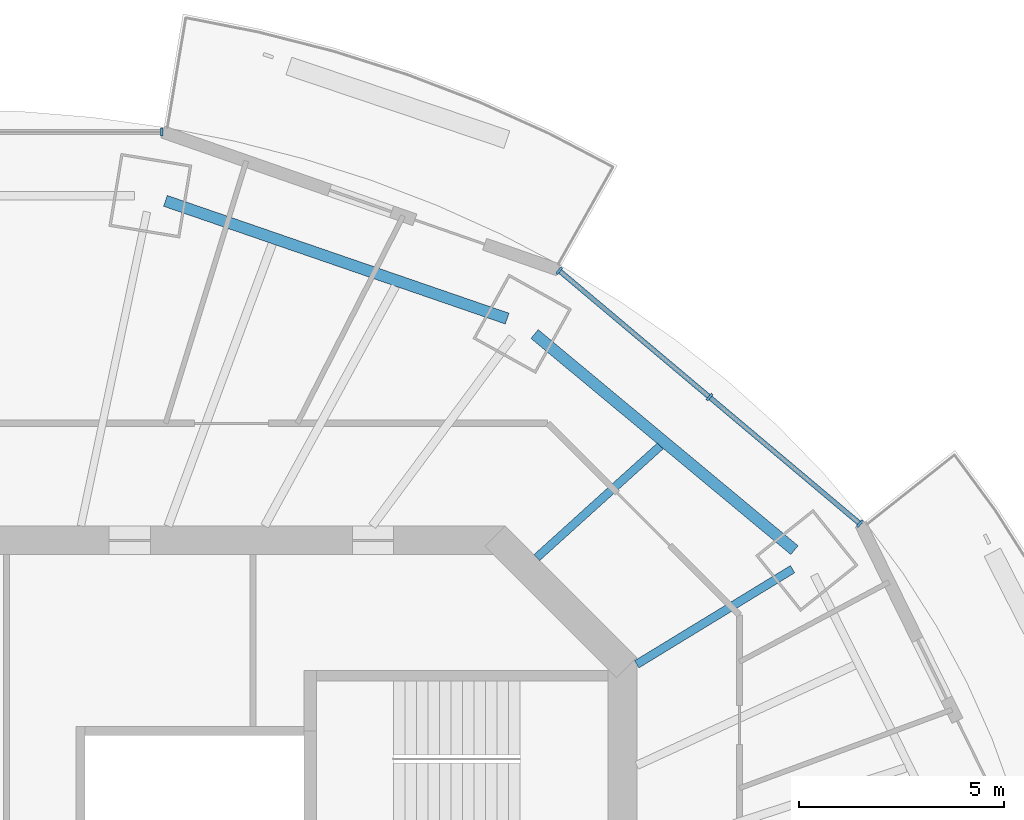
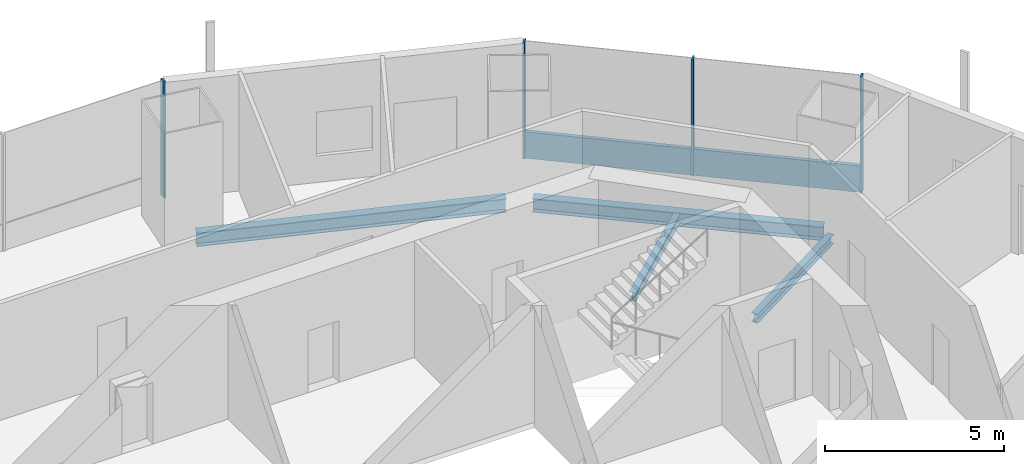
# One storey, part 6 of 16: 5 members, 4 beams, 2 elements without a shape of their own.
"""IFC4 building model written with IfcOpenShell, lengths in metres."""

from ifc_helpers import new_model, si_unit, direction, frame, origin, origin_2d, place, context, subcontext, project, spatial, rectangle, i_section, extrude, material, material_profile, profile_set, type_object, element, aggregate, save


model = new_model("IFC4")

# Units and contexts
model_context = context("Model", 3, precision=1e-05, world=origin(), true_north=direction((0.0, 1.0)))
body_context = subcontext(model_context, "Body", "Model", "MODEL_VIEW")
ifc_project = project(units=[si_unit("LENGTHUNIT", "METRE"), si_unit("AREAUNIT", "SQUARE_METRE"), si_unit("VOLUMEUNIT", "CUBIC_METRE"), si_unit("PLANEANGLEUNIT", "RADIAN"), si_unit("MASSUNIT", "GRAM", prefix="KILO")], contexts=[model_context])

# Site, building, storey
site_placement = place(None, origin())
site = spatial("IfcSite", under=ifc_project, at=site_placement, CompositionType="ELEMENT")
building_placement = place(site_placement, origin())
building = spatial("IfcBuilding", under=site, at=building_placement, Name="Marenthal Gate Tower", CompositionType="ELEMENT")
storey_placement = place(building_placement, frame((0.0, 0.0, 346.75)))
storey = spatial("IfcBuildingStorey", under=building, at=storey_placement, Name="L78", CompositionType="ELEMENT", Elevation=346.75)

# Curtain wall, members
ifc_material_1 = material(Name="Aluminium and glass", Category="aluminium")
curtain_wall_type = type_object("IfcCurtainWallType", Name="Curtain wall typical high", PredefinedType="NOTDEFINED", material=ifc_material_1)
curtain_wall_1_placement = place(storey_placement, origin())
curtain_wall_1 = element("IfcCurtainWall", 1, at=curtain_wall_1_placement, inside=storey, type_object=curtain_wall_type, Name="Curtain wall L78 bay 2", PredefinedType="NOTDEFINED")
ifc_material_2 = material(Name="Aluminium", Category="aluminium")
ifc_material_profile_1 = material_profile(ifc_material_2, rectangle(XDim=0.199951171875, YDim=0.06005859375, at=origin_2d()), Name="60x200 aluminium mullion")
ifc_profile_set_1 = profile_set([ifc_material_profile_1], Name="Aluminium")
member_type_1 = type_object("IfcMemberType", Name="Mullion 60x200 typical high", PredefinedType="MULLION", material=ifc_profile_set_1)
member_1_placement = place(storey_placement, frame((21.783203125, 13.40625, 0.0), z_axis=(0.0, 0.0, 1.0), x_axis=(-0.643895579249, -0.765113379195, 0.0)))
member_1 = element("IfcMember", 2, at=member_1_placement, type_object=member_type_1, Name="Mullion L78 bay 2.1", PredefinedType="MULLION", context=body_context, shape_type="SweptSolid", body=[
    extrude(rectangle(XDim=0.199951171875, YDim=0.06005859375, at=origin_2d()), origin(), (0.0, 0.0, 1.0), 3.969970703125),
])
member_2_placement = place(storey_placement, frame((18.121826171875, 16.487548828125, 0.0), z_axis=(0.0, 0.0, 1.0), x_axis=(-0.643895579249, -0.765113379195, 0.0)))
member_2 = element("IfcMember", 3, at=member_2_placement, type_object=member_type_1, Name="Mullion L78 bay 2.2", PredefinedType="MULLION", context=body_context, shape_type="SweptSolid", body=[
    extrude(rectangle(XDim=0.199951171875, YDim=0.06005859375, at=origin_2d()), origin(), (0.0, 0.0, 1.0), 3.969970703125),
])
member_3_placement = place(storey_placement, frame((14.46044921875, 19.56884765625, 0.0), z_axis=(0.0, 0.0, 1.0), x_axis=(-0.643895579249, -0.765113379195, 0.0)))
member_3 = element("IfcMember", 4, at=member_3_placement, type_object=member_type_1, Name="Mullion L78 bay 2.3", PredefinedType="MULLION", context=body_context, shape_type="SweptSolid", body=[
    extrude(rectangle(XDim=0.199951171875, YDim=0.06005859375, at=origin_2d()), origin(), (0.0, 0.0, 1.0), 3.969970703125),
])

# Curtain wall, member
curtain_wall_2_placement = place(storey_placement, origin())
curtain_wall_2 = element("IfcCurtainWall", 5, at=curtain_wall_2_placement, inside=storey, type_object=curtain_wall_type, Name="Curtain wall L78 bay 4", PredefinedType="NOTDEFINED")
member_4_placement = place(storey_placement, frame((4.7802734375, 22.944091796875, 0.0), z_axis=(0.0, 0.0, 1.0), x_axis=(0.0, -1.0, 0.0)))
member_4 = element("IfcMember", 6, at=member_4_placement, type_object=member_type_1, Name="Mullion L78 bay 4.1", PredefinedType="MULLION", context=body_context, shape_type="SweptSolid", body=[
    extrude(rectangle(XDim=0.199951171875, YDim=0.06005859375, at=origin_2d()), origin(), (0.0, 0.0, 1.0), 3.969970703125),
])
aggregate(curtain_wall_2, [member_4])

# Member
ifc_material_3 = material(Name="Aluminium", Category="aluminium")
ifc_material_profile_2 = material_profile(ifc_material_3, rectangle(XDim=0.1201171875, YDim=0.89990234375, at=origin_2d()), Name="120x900 aluminium transom")
ifc_profile_set_2 = profile_set([ifc_material_profile_2], Name="Aluminium")
member_type_2 = type_object("IfcMemberType", Name="Transom 120x900 typical high", PredefinedType="USERDEFINED", material=ifc_profile_set_2)
member_5_placement = place(storey_placement, frame((21.76025390625, 13.425537109375, 0.449951171875), z_axis=(-0.765110860749, 0.643898571798, 0.0), x_axis=(-0.643898571798, -0.765110860749, 0.0)))
member_5 = element("IfcMember", 7, at=member_5_placement, type_object=member_type_2, Name="Transom L78 bay 2", ObjectType="TRANSOM", PredefinedType="USERDEFINED", context=body_context, shape_type="SweptSolid", body=[
    extrude(rectangle(XDim=0.1201171875, YDim=0.89990234375, at=origin_2d()), origin(), (0.0, 0.0, 1.0), 9.5107421875),
])

aggregate(curtain_wall_1, [member_1, member_2, member_3, member_5])

# Beams
ifc_material_4 = material(Name="Steel S355", Category="steel")
ifc_material_profile_3 = material_profile(ifc_material_4, i_section(OverallWidth=0.202880859375, OverallDepth=0.302001953125, WebThickness=0.007568359375, FlangeThickness=0.01318359375, FilletRadius=0.0126953125, at=origin_2d()), Name="W310X60")
ifc_profile_set_3 = profile_set([ifc_material_profile_3], Name="Steel S355")
beam_type_1 = type_object("IfcBeamType", Name="W310X60 beam", PredefinedType="BEAM", material=ifc_profile_set_3)
beam_1_placement = place(storey_placement, frame((16.92138671875, 15.29736328125, -0.3310546875), z_axis=(-0.74178549283, -0.670637221326, 0.0), x_axis=(0.670637221326, -0.74178549283, 0.0)))
element("IfcBeam", 8, at=beam_1_placement, inside=storey, type_object=beam_type_1, Name="BM-L78-19", PredefinedType="BEAM", context=body_context, shape_type="SweptSolid", body=[
    extrude(i_section(OverallWidth=0.202880859375, OverallDepth=0.302001953125, WebThickness=0.007568359375, FlangeThickness=0.01318359375, FilletRadius=0.0126953125, at=origin_2d()), origin(), (0.0, 0.0, 1.0), 4.052490234375),
])
ifc_material_5 = material(Name="Steel S355", Category="steel")
ifc_material_profile_4 = material_profile(ifc_material_5, i_section(OverallWidth=0.205078125, OverallDepth=0.31005859375, WebThickness=0.009521484375, FlangeThickness=0.016357421875, FilletRadius=0.0126953125, at=origin_2d()), Name="W310X74")
ifc_profile_set_4 = profile_set([ifc_material_profile_4], Name="Steel S355")
beam_type_2 = type_object("IfcBeamType", Name="W310X74 beam", PredefinedType="BEAM", material=ifc_profile_set_4)
beam_2_placement = place(storey_placement, frame((20.14453125, 12.296875, -0.3349609375), z_axis=(-0.853547801009, -0.521014540482, 0.0), x_axis=(0.521014540482, -0.853547801009, 0.0)))
element("IfcBeam", 9, at=beam_2_placement, inside=storey, type_object=beam_type_2, Name="BM-L78-02", PredefinedType="BEAM", context=body_context, shape_type="SweptSolid", body=[
    extrude(i_section(OverallWidth=0.205078125, OverallDepth=0.31005859375, WebThickness=0.009521484375, FlangeThickness=0.016357421875, FilletRadius=0.0126953125, at=origin_2d()), origin(), (0.0, 0.0, 1.0), 4.445556640625),
])
ifc_material_6 = material(Name="Steel S355", Category="steel")
ifc_material_profile_5 = material_profile(ifc_material_6, i_section(OverallWidth=0.279052734375, OverallDepth=0.4619140625, WebThickness=0.0107421875, FlangeThickness=0.017333984375, FilletRadius=0.010009765625, at=origin_2d()), Name="W460X113")
ifc_profile_set_5 = profile_set([ifc_material_profile_5], Name="Steel S355")
beam_type_3 = type_object("IfcBeamType", Name="W460X113 beam", PredefinedType="BEAM", material=ifc_profile_set_5)
beam_3_placement = place(storey_placement, frame((20.190185546875, 12.760498046875, -0.410888671875), z_axis=(-0.768872300496, 0.639402365909, 0.0), x_axis=(-0.639402365909, -0.768872300496, 0.0)))
element("IfcBeam", 10, at=beam_3_placement, inside=storey, type_object=beam_type_3, Name="BM-L78-41", PredefinedType="BEAM", context=body_context, shape_type="SweptSolid", body=[
    extrude(i_section(OverallWidth=0.279052734375, OverallDepth=0.4619140625, WebThickness=0.0107421875, FlangeThickness=0.017333984375, FilletRadius=0.010009765625, at=origin_2d()), origin(), (0.0, 0.0, 1.0), 8.23291015625),
])
beam_4_placement = place(storey_placement, frame((13.1923828125, 18.40087890625, -0.410888671875), z_axis=(-0.945474604671, 0.325695827302, 0.0), x_axis=(-0.325695827302, -0.945474604671, 0.0)))
element("IfcBeam", 11, at=beam_4_placement, inside=storey, type_object=beam_type_3, Name="BM-L78-42", PredefinedType="BEAM", context=body_context, shape_type="SweptSolid", body=[
    extrude(i_section(OverallWidth=0.279052734375, OverallDepth=0.4619140625, WebThickness=0.0107421875, FlangeThickness=0.017333984375, FilletRadius=0.010009765625, at=origin_2d()), origin(), (0.0, 0.0, 1.0), 8.803955078125),
])

save(model, "model.ifc")
